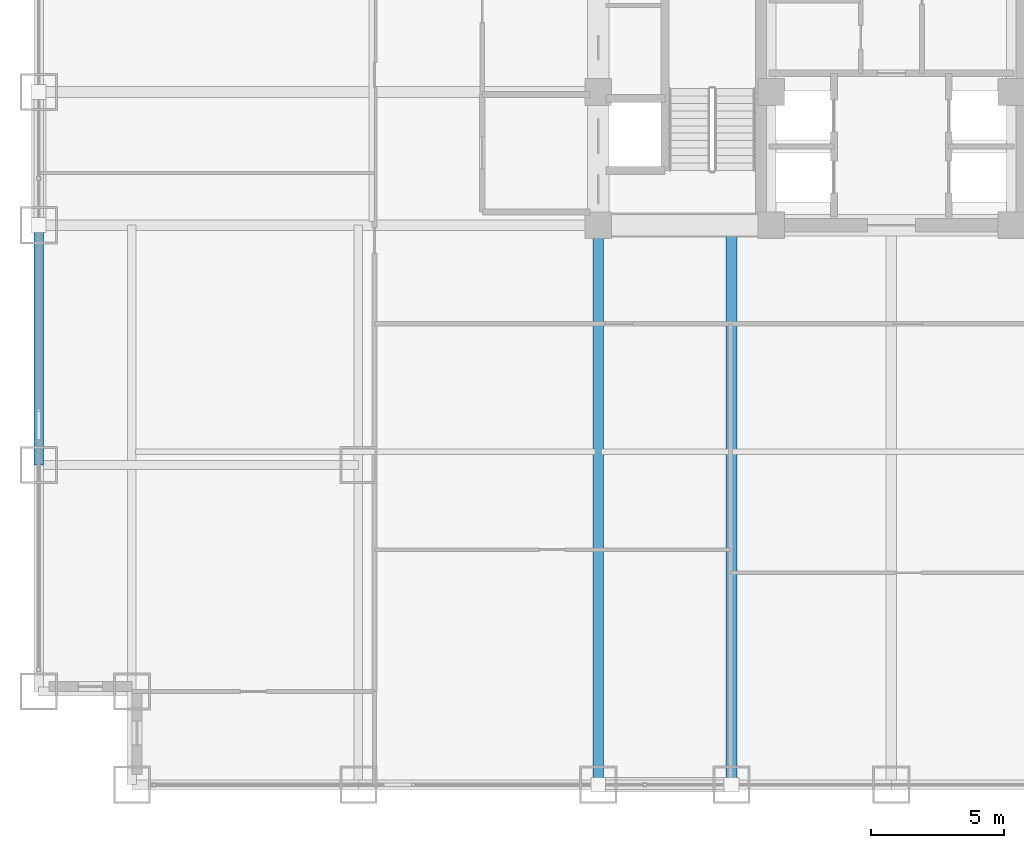
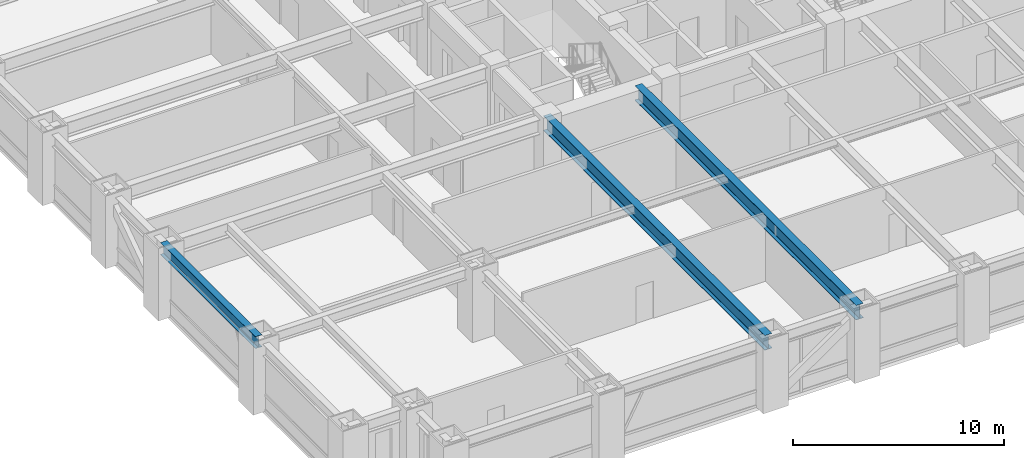
# One storey, part 5 of 28: 3 beams.
"""IFC4 building model written with IfcOpenShell, lengths in metres."""

from ifc_helpers import new_model, si_unit, direction, frame, origin, origin_2d, place, context, subcontext, project, spatial, i_section, extrude, source, transform, mapped, material, material_profile, profile_set, type_object, element, save


model = new_model("IFC4")

# Units and contexts
model_context = context("Model", 3, precision=1e-05, world=origin(), true_north=direction((0.0, 1.0)))
body_context = subcontext(model_context, "Body", "Model", "MODEL_VIEW")
ifc_project = project(units=[si_unit("LENGTHUNIT", "METRE"), si_unit("AREAUNIT", "SQUARE_METRE"), si_unit("VOLUMEUNIT", "CUBIC_METRE"), si_unit("PLANEANGLEUNIT", "RADIAN"), si_unit("MASSUNIT", "GRAM", prefix="KILO")], contexts=[model_context])

# Site, building, storey
site_placement = place(None, origin())
site = spatial("IfcSite", under=ifc_project, at=site_placement, CompositionType="ELEMENT")
building_placement = place(site_placement, origin())
building = spatial("IfcBuilding", under=site, at=building_placement, Name="Khorayat Bourse Tower", CompositionType="ELEMENT")
storey_placement = place(building_placement, frame((0.0, 0.0, 57.800048828125)))
storey = spatial("IfcBuildingStorey", under=building, at=storey_placement, Name="L12", CompositionType="ELEMENT", Elevation=57.800048828125)

# Beams
ifc_material = material(Name="Steel ASTM A992 Grade 50", Category="steel")
ifc_material_profile_1 = material_profile(ifc_material, i_section(OverallWidth=0.35498046875, OverallDepth=0.695068359375, WebThickness=0.015380859375, FlangeThickness=0.02490234375, FilletRadius=0.01806640625, at=origin_2d()), Name="W690X217")
ifc_profile_set_1 = profile_set([ifc_material_profile_1], Name="Steel ASTM A992 Grade 50")
beam_type_1 = type_object("IfcBeamType", Name="BM-SPAN-690", PredefinedType="SPANDREL", material=ifc_profile_set_1)
shared_shape_1 = source(origin(), body_context, "Body", "SweptSolid", [
    extrude(i_section(OverallWidth=0.35498046875, OverallDepth=0.695068359375, WebThickness=0.015380859375, FlangeThickness=0.02490234375, FilletRadius=0.01806640625, at=origin_2d()), origin(), (0.0, 0.0, 1.0), 9.0),
])
beam_placement = place(storey_placement, frame((-32.0, -20.0, 3.592529296875), z_axis=(0.0, 1.0, 0.0), x_axis=(-1.0, 0.0, 0.0)))
element("IfcBeam", 1, at=beam_placement, inside=storey, type_object=beam_type_1, Name="L12 BM-SPAN-690 BM-L12-SPN-060", PredefinedType="SPANDREL", context=body_context, shape_type="MappedRepresentation", body=[
    mapped(shared_shape_1, transform((0.0, 0.0, 0.0), scale=1.0)),
])
ifc_material_profile_2 = material_profile(ifc_material, i_section(OverallWidth=0.39990234375, OverallDepth=0.85498046875, WebThickness=0.018310546875, FlangeThickness=0.029296875, FilletRadius=0.02001953125, at=origin_2d()), Name="W840X299")
ifc_profile_set_2 = profile_set([ifc_material_profile_2], Name="Steel ASTM A992 Grade 50")
beam_type_2 = type_object("IfcBeamType", Name="BM-GIRD-840", PredefinedType="BEAM", material=ifc_profile_set_2)
shared_shape_2 = source(origin(), body_context, "Body", "SweptSolid", [
    extrude(i_section(OverallWidth=0.39990234375, OverallDepth=0.85498046875, WebThickness=0.018310546875, FlangeThickness=0.029296875, FilletRadius=0.02001953125, at=origin_2d()), origin(), (0.0, 0.0, 1.0), 21.0),
])
for number, where, z_axis, x_axis, name in (
    (2, (-11.0, -32.0, 3.512451171875), (0.0, 1.0, 0.0), (-1.0, 0.0, 0.0), "L12 BM-GIRD-840 BM-L12-RADY-065"),
    (3, (-6.0, -32.0, 3.512451171875), (0.0, 1.0, 0.0), (-1.0, 0.0, 0.0), "L12 BM-GIRD-840 BM-L12-RADY-067"),
):
    element("IfcBeam", number, at=place(storey_placement, frame(where, z_axis=z_axis, x_axis=x_axis)), inside=storey, type_object=beam_type_2, Name=name, PredefinedType="BEAM", context=body_context, shape_type="MappedRepresentation", body=[
        mapped(shared_shape_2, transform((0.0, 0.0, 0.0), scale=1.0)),
    ])

save(model, "model.ifc")
